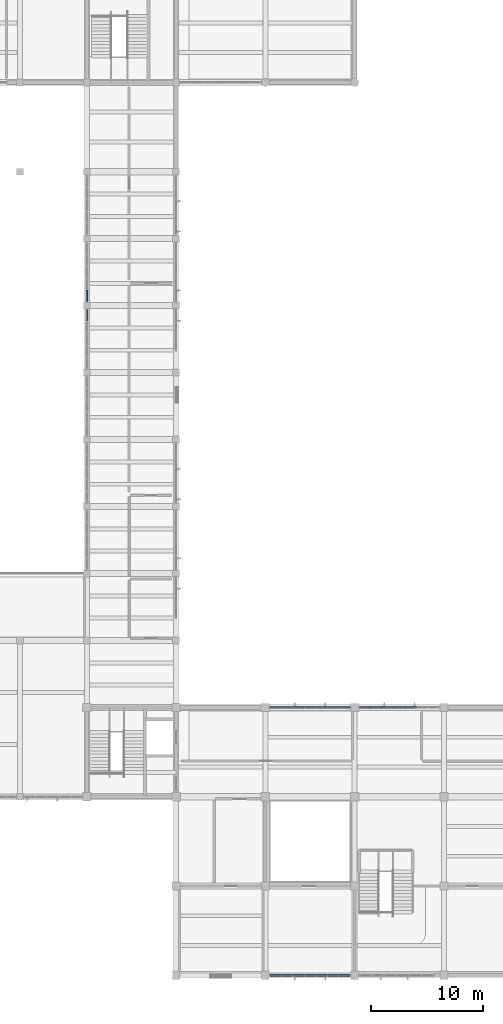
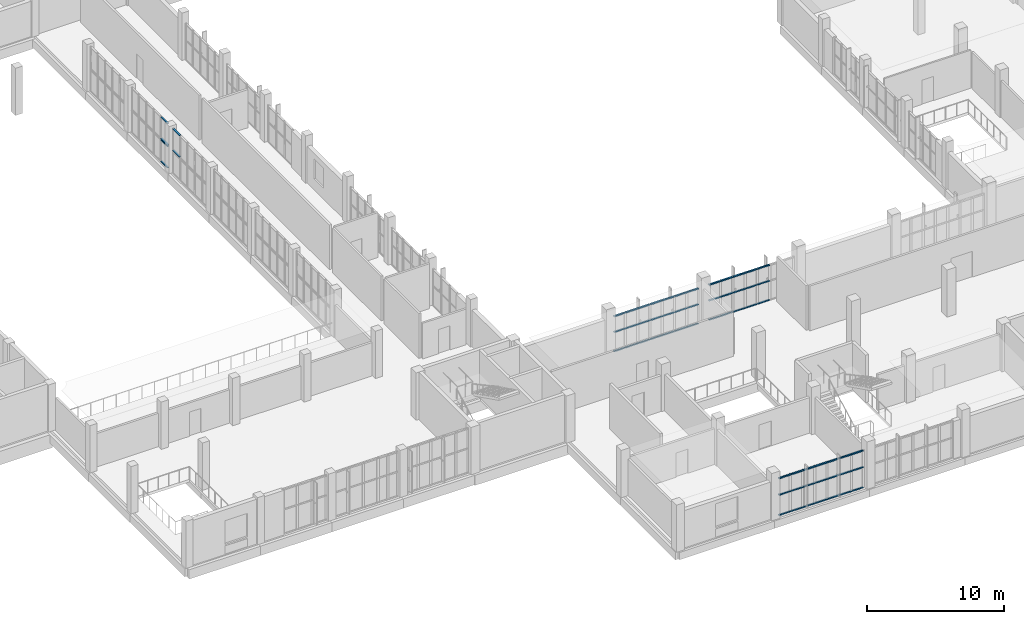
# One storey, part 36 of 85: 63 members, 6 elements without a shape of their own.
"""IFC4 building model written with IfcOpenShell, lengths in metres."""

from ifc_helpers import new_model, si_unit, direction, frame, origin, origin_2d, place, context, subcontext, project, spatial, rectangle, extrude, material, layer, layer_set, material_profile, profile_set, type_object, element, aggregate, save


model = new_model("IFC4")

# Units and contexts
model_context = context("Model", 3, precision=1e-05, world=origin(), true_north=direction((0.0, 1.0)))
body_context = subcontext(model_context, "Body", "Model", "MODEL_VIEW")
ifc_project = project(units=[si_unit("LENGTHUNIT", "METRE"), si_unit("AREAUNIT", "SQUARE_METRE"), si_unit("VOLUMEUNIT", "CUBIC_METRE"), si_unit("PLANEANGLEUNIT", "RADIAN"), si_unit("MASSUNIT", "GRAM", prefix="KILO")], contexts=[model_context])

# Site, building, storey
site_placement = place(None, origin())
site = spatial("IfcSite", under=ifc_project, at=site_placement, CompositionType="ELEMENT")
building_placement = place(site_placement, origin())
building = spatial("IfcBuilding", under=site, at=building_placement, Name="Solvane Community Centre", CompositionType="ELEMENT")
storey_placement = place(building_placement, frame((0.0, 0.0, 5.39990234375)))
storey = spatial("IfcBuildingStorey", under=building, at=storey_placement, Name="L01", CompositionType="ELEMENT", Elevation=5.39990234375)

# Curtain wall, members
ifc_material = material(Name="Anodised bronze aluminium AW-6063 T6", Category="aluminium")
ifc_layer_1 = layer(ifc_material, 0.18994140625)
ifc_layer_set_1 = layer_set([ifc_layer_1], Name="Anodised bronze aluminium AW-6063 T6")
curtain_wall_type_1 = type_object("IfcCurtainWallType", Name="Boulevard Bronze Vision Curtain Wall [72x33dm]", PredefinedType="NOTDEFINED", material=ifc_layer_set_1)
curtain_wall_1_placement = place(storey_placement, origin())
curtain_wall_1 = element("IfcCurtainWall", 1, at=curtain_wall_1_placement, inside=storey, type_object=curtain_wall_type_1, Name="Curtain Wall CW-L01-836_60-079", PredefinedType="NOTDEFINED")
ifc_material_profile_1 = material_profile(ifc_material, rectangle(XDim=0.14990234375, YDim=0.06005859375, at=origin_2d()), Name="CW-T 60x150")
ifc_profile_set_1 = profile_set([ifc_material_profile_1], Name="Anodised bronze aluminium AW-6063 T6")
member_type_1 = type_object("IfcMemberType", Name="Boulevard Transom 60x150", PredefinedType="USERDEFINED", material=ifc_profile_set_1)
member_1_placement = place(storey_placement, frame((83.544921875, 6.0, 0.030029296875), z_axis=(-1.0, 0.0, 0.0), x_axis=(0.0, -1.0, 0.0)))
member_1 = element("IfcMember", 2, at=member_1_placement, type_object=member_type_1, Name="CW02-72x33 transom 1.1", ObjectType="TRANSOM", PredefinedType="USERDEFINED", context=body_context, shape_type="SweptSolid", body=[
    extrude(rectangle(XDim=0.14990234375, YDim=0.06005859375, at=origin_2d()), origin(), (0.0, 0.0, 1.0), 0.93994140625),
])
member_2_placement = place(storey_placement, frame((83.544921875, 6.0, 1.822998046875), z_axis=(-1.0, 0.0, 0.0), x_axis=(0.0, -1.0, 0.0)))
member_2 = element("IfcMember", 3, at=member_2_placement, type_object=member_type_1, Name="CW02-72x33 transom 1.2", ObjectType="TRANSOM", PredefinedType="USERDEFINED", context=body_context, shape_type="SweptSolid", body=[
    extrude(rectangle(XDim=0.14990234375, YDim=0.06005859375, at=origin_2d()), origin(), (0.0, 0.0, 1.0), 0.93994140625),
])
member_3_placement = place(storey_placement, frame((83.544921875, 6.0, 3.28515625), z_axis=(-1.0, 0.0, 0.0), x_axis=(0.0, -1.0, 0.0)))
member_3 = element("IfcMember", 4, at=member_3_placement, type_object=member_type_1, Name="CW02-72x33 transom 1.3", ObjectType="TRANSOM", PredefinedType="USERDEFINED", context=body_context, shape_type="SweptSolid", body=[
    extrude(rectangle(XDim=0.14990234375, YDim=0.06005859375, at=origin_2d()), origin(), (0.0, 0.0, 1.0), 0.93994140625),
])
member_4_placement = place(storey_placement, frame((82.544921875, 6.0, 0.030029296875), z_axis=(-1.0, 0.0, 0.0), x_axis=(0.0, -1.0, 0.0)))
member_4 = element("IfcMember", 5, at=member_4_placement, type_object=member_type_1, Name="CW02-72x33 transom 2.1", ObjectType="TRANSOM", PredefinedType="USERDEFINED", context=body_context, shape_type="SweptSolid", body=[
    extrude(rectangle(XDim=0.14990234375, YDim=0.06005859375, at=origin_2d()), origin(), (0.0, 0.0, 1.0), 0.969970703125),
])
member_5_placement = place(storey_placement, frame((82.544921875, 6.0, 1.822998046875), z_axis=(-1.0, 0.0, 0.0), x_axis=(0.0, -1.0, 0.0)))
member_5 = element("IfcMember", 6, at=member_5_placement, type_object=member_type_1, Name="CW02-72x33 transom 2.2", ObjectType="TRANSOM", PredefinedType="USERDEFINED", context=body_context, shape_type="SweptSolid", body=[
    extrude(rectangle(XDim=0.14990234375, YDim=0.06005859375, at=origin_2d()), origin(), (0.0, 0.0, 1.0), 0.969970703125),
])
member_6_placement = place(storey_placement, frame((82.544921875, 6.0, 3.28515625), z_axis=(-1.0, 0.0, 0.0), x_axis=(0.0, -1.0, 0.0)))
member_6 = element("IfcMember", 7, at=member_6_placement, type_object=member_type_1, Name="CW02-72x33 transom 2.3", ObjectType="TRANSOM", PredefinedType="USERDEFINED", context=body_context, shape_type="SweptSolid", body=[
    extrude(rectangle(XDim=0.14990234375, YDim=0.06005859375, at=origin_2d()), origin(), (0.0, 0.0, 1.0), 0.969970703125),
])
member_7_placement = place(storey_placement, frame((81.514892578125, 6.0, 0.030029296875), z_axis=(-1.0, 0.0, 0.0), x_axis=(0.0, -1.0, 0.0)))
member_7 = element("IfcMember", 8, at=member_7_placement, type_object=member_type_1, Name="CW02-72x33 transom 3.1", ObjectType="TRANSOM", PredefinedType="USERDEFINED", context=body_context, shape_type="SweptSolid", body=[
    extrude(rectangle(XDim=0.14990234375, YDim=0.06005859375, at=origin_2d()), origin(), (0.0, 0.0, 1.0), 0.969970703125),
])
member_8_placement = place(storey_placement, frame((81.514892578125, 6.0, 1.822998046875), z_axis=(-1.0, 0.0, 0.0), x_axis=(0.0, -1.0, 0.0)))
member_8 = element("IfcMember", 9, at=member_8_placement, type_object=member_type_1, Name="CW02-72x33 transom 3.2", ObjectType="TRANSOM", PredefinedType="USERDEFINED", context=body_context, shape_type="SweptSolid", body=[
    extrude(rectangle(XDim=0.14990234375, YDim=0.06005859375, at=origin_2d()), origin(), (0.0, 0.0, 1.0), 0.969970703125),
])
member_9_placement = place(storey_placement, frame((81.514892578125, 6.0, 3.28515625), z_axis=(-1.0, 0.0, 0.0), x_axis=(0.0, -1.0, 0.0)))
member_9 = element("IfcMember", 10, at=member_9_placement, type_object=member_type_1, Name="CW02-72x33 transom 3.3", ObjectType="TRANSOM", PredefinedType="USERDEFINED", context=body_context, shape_type="SweptSolid", body=[
    extrude(rectangle(XDim=0.14990234375, YDim=0.06005859375, at=origin_2d()), origin(), (0.0, 0.0, 1.0), 0.969970703125),
])
member_10_placement = place(storey_placement, frame((80.485107421875, 6.0, 0.030029296875), z_axis=(-1.0, 0.0, 0.0), x_axis=(0.0, -1.0, 0.0)))
member_10 = element("IfcMember", 11, at=member_10_placement, type_object=member_type_1, Name="CW02-72x33 transom 4.1", ObjectType="TRANSOM", PredefinedType="USERDEFINED", context=body_context, shape_type="SweptSolid", body=[
    extrude(rectangle(XDim=0.14990234375, YDim=0.06005859375, at=origin_2d()), origin(), (0.0, 0.0, 1.0), 0.97021484375),
])
member_11_placement = place(storey_placement, frame((80.485107421875, 6.0, 1.822998046875), z_axis=(-1.0, 0.0, 0.0), x_axis=(0.0, -1.0, 0.0)))
member_11 = element("IfcMember", 12, at=member_11_placement, type_object=member_type_1, Name="CW02-72x33 transom 4.2", ObjectType="TRANSOM", PredefinedType="USERDEFINED", context=body_context, shape_type="SweptSolid", body=[
    extrude(rectangle(XDim=0.14990234375, YDim=0.06005859375, at=origin_2d()), origin(), (0.0, 0.0, 1.0), 0.97021484375),
])
member_12_placement = place(storey_placement, frame((80.485107421875, 6.0, 3.28515625), z_axis=(-1.0, 0.0, 0.0), x_axis=(0.0, -1.0, 0.0)))
member_12 = element("IfcMember", 13, at=member_12_placement, type_object=member_type_1, Name="CW02-72x33 transom 4.3", ObjectType="TRANSOM", PredefinedType="USERDEFINED", context=body_context, shape_type="SweptSolid", body=[
    extrude(rectangle(XDim=0.14990234375, YDim=0.06005859375, at=origin_2d()), origin(), (0.0, 0.0, 1.0), 0.97021484375),
])
member_13_placement = place(storey_placement, frame((79.455078125, 6.0, 0.030029296875), z_axis=(-1.0, 0.0, 0.0), x_axis=(0.0, -1.0, 0.0)))
member_13 = element("IfcMember", 14, at=member_13_placement, type_object=member_type_1, Name="CW02-72x33 transom 5.1", ObjectType="TRANSOM", PredefinedType="USERDEFINED", context=body_context, shape_type="SweptSolid", body=[
    extrude(rectangle(XDim=0.14990234375, YDim=0.06005859375, at=origin_2d()), origin(), (0.0, 0.0, 1.0), 0.969970703125),
])
member_14_placement = place(storey_placement, frame((79.455078125, 6.0, 1.822998046875), z_axis=(-1.0, 0.0, 0.0), x_axis=(0.0, -1.0, 0.0)))
member_14 = element("IfcMember", 15, at=member_14_placement, type_object=member_type_1, Name="CW02-72x33 transom 5.2", ObjectType="TRANSOM", PredefinedType="USERDEFINED", context=body_context, shape_type="SweptSolid", body=[
    extrude(rectangle(XDim=0.14990234375, YDim=0.06005859375, at=origin_2d()), origin(), (0.0, 0.0, 1.0), 0.969970703125),
])
member_15_placement = place(storey_placement, frame((79.455078125, 6.0, 3.28515625), z_axis=(-1.0, 0.0, 0.0), x_axis=(0.0, -1.0, 0.0)))
member_15 = element("IfcMember", 16, at=member_15_placement, type_object=member_type_1, Name="CW02-72x33 transom 5.3", ObjectType="TRANSOM", PredefinedType="USERDEFINED", context=body_context, shape_type="SweptSolid", body=[
    extrude(rectangle(XDim=0.14990234375, YDim=0.06005859375, at=origin_2d()), origin(), (0.0, 0.0, 1.0), 0.969970703125),
])
member_16_placement = place(storey_placement, frame((78.425048828125, 6.0, 0.030029296875), z_axis=(-1.0, 0.0, 0.0), x_axis=(0.0, -1.0, 0.0)))
member_16 = element("IfcMember", 17, at=member_16_placement, type_object=member_type_1, Name="CW02-72x33 transom 6.1", ObjectType="TRANSOM", PredefinedType="USERDEFINED", context=body_context, shape_type="SweptSolid", body=[
    extrude(rectangle(XDim=0.14990234375, YDim=0.06005859375, at=origin_2d()), origin(), (0.0, 0.0, 1.0), 0.969970703125),
])
member_17_placement = place(storey_placement, frame((78.425048828125, 6.0, 1.822998046875), z_axis=(-1.0, 0.0, 0.0), x_axis=(0.0, -1.0, 0.0)))
member_17 = element("IfcMember", 18, at=member_17_placement, type_object=member_type_1, Name="CW02-72x33 transom 6.2", ObjectType="TRANSOM", PredefinedType="USERDEFINED", context=body_context, shape_type="SweptSolid", body=[
    extrude(rectangle(XDim=0.14990234375, YDim=0.06005859375, at=origin_2d()), origin(), (0.0, 0.0, 1.0), 0.969970703125),
])
member_18_placement = place(storey_placement, frame((78.425048828125, 6.0, 3.28515625), z_axis=(-1.0, 0.0, 0.0), x_axis=(0.0, -1.0, 0.0)))
member_18 = element("IfcMember", 19, at=member_18_placement, type_object=member_type_1, Name="CW02-72x33 transom 6.3", ObjectType="TRANSOM", PredefinedType="USERDEFINED", context=body_context, shape_type="SweptSolid", body=[
    extrude(rectangle(XDim=0.14990234375, YDim=0.06005859375, at=origin_2d()), origin(), (0.0, 0.0, 1.0), 0.969970703125),
])
member_19_placement = place(storey_placement, frame((77.39501953125, 6.0, 0.030029296875), z_axis=(-1.0, 0.0, 0.0), x_axis=(0.0, -1.0, 0.0)))
member_19 = element("IfcMember", 20, at=member_19_placement, type_object=member_type_1, Name="CW02-72x33 transom 7.1", ObjectType="TRANSOM", PredefinedType="USERDEFINED", context=body_context, shape_type="SweptSolid", body=[
    extrude(rectangle(XDim=0.14990234375, YDim=0.06005859375, at=origin_2d()), origin(), (0.0, 0.0, 1.0), 0.93994140625),
])
member_20_placement = place(storey_placement, frame((77.39501953125, 6.0, 1.822998046875), z_axis=(-1.0, 0.0, 0.0), x_axis=(0.0, -1.0, 0.0)))
member_20 = element("IfcMember", 21, at=member_20_placement, type_object=member_type_1, Name="CW02-72x33 transom 7.2", ObjectType="TRANSOM", PredefinedType="USERDEFINED", context=body_context, shape_type="SweptSolid", body=[
    extrude(rectangle(XDim=0.14990234375, YDim=0.06005859375, at=origin_2d()), origin(), (0.0, 0.0, 1.0), 0.93994140625),
])
member_21_placement = place(storey_placement, frame((77.39501953125, 6.0, 3.28515625), z_axis=(-1.0, 0.0, 0.0), x_axis=(0.0, -1.0, 0.0)))
member_21 = element("IfcMember", 22, at=member_21_placement, type_object=member_type_1, Name="CW02-72x33 transom 7.3", ObjectType="TRANSOM", PredefinedType="USERDEFINED", context=body_context, shape_type="SweptSolid", body=[
    extrude(rectangle(XDim=0.14990234375, YDim=0.06005859375, at=origin_2d()), origin(), (0.0, 0.0, 1.0), 0.93994140625),
])
aggregate(curtain_wall_1, [member_1, member_2, member_3, member_4, member_5, member_6, member_7, member_8, member_9, member_10, member_11, member_12, member_13, member_14, member_15, member_16, member_17, member_18, member_19, member_20, member_21])

ifc_layer_2 = layer(ifc_material, 0.18994140625)
ifc_layer_set_2 = layer_set([ifc_layer_2], Name="Anodised bronze aluminium AW-6063 T6")
curtain_wall_type_2 = type_object("IfcCurtainWallType", Name="Boulevard Bronze Vision Curtain Wall [72x32dm]", PredefinedType="NOTDEFINED", material=ifc_layer_set_2)
curtain_wall_2_placement = place(storey_placement, origin())
curtain_wall_2 = element("IfcCurtainWall", 23, at=curtain_wall_2_placement, inside=storey, type_object=curtain_wall_type_2, Name="Curtain Wall CW-L01-764_300-111", PredefinedType="NOTDEFINED")
member_22_placement = place(storey_placement, frame((76.449951171875, 30.0, 0.030029296875), z_axis=(1.0, 0.0, 0.0), x_axis=(0.0, 1.0, 0.0)))
member_22 = element("IfcMember", 24, at=member_22_placement, type_object=member_type_1, Name="CW02-72x32 transom 1.1", ObjectType="TRANSOM", PredefinedType="USERDEFINED", context=body_context, shape_type="SweptSolid", body=[
    extrude(rectangle(XDim=0.14990234375, YDim=0.06005859375, at=origin_2d()), origin(), (0.0, 0.0, 1.0), 0.94140625),
])
member_23_placement = place(storey_placement, frame((76.449951171875, 30.0, 1.7412109375), z_axis=(1.0, 0.0, 0.0), x_axis=(0.0, 1.0, 0.0)))
member_23 = element("IfcMember", 25, at=member_23_placement, type_object=member_type_1, Name="CW02-72x32 transom 1.2", ObjectType="TRANSOM", PredefinedType="USERDEFINED", context=body_context, shape_type="SweptSolid", body=[
    extrude(rectangle(XDim=0.14990234375, YDim=0.06005859375, at=origin_2d()), origin(), (0.0, 0.0, 1.0), 0.94140625),
])
member_24_placement = place(storey_placement, frame((76.449951171875, 30.0, 3.135009765625), z_axis=(1.0, 0.0, 0.0), x_axis=(0.0, 1.0, 0.0)))
member_24 = element("IfcMember", 26, at=member_24_placement, type_object=member_type_1, Name="CW02-72x32 transom 1.3", ObjectType="TRANSOM", PredefinedType="USERDEFINED", context=body_context, shape_type="SweptSolid", body=[
    extrude(rectangle(XDim=0.14990234375, YDim=0.06005859375, at=origin_2d()), origin(), (0.0, 0.0, 1.0), 0.94140625),
])
member_25_placement = place(storey_placement, frame((77.451416015625, 30.0, 0.030029296875), z_axis=(1.0, 0.0, 0.0), x_axis=(0.0, 1.0, 0.0)))
member_25 = element("IfcMember", 27, at=member_25_placement, type_object=member_type_1, Name="CW02-72x32 transom 2.1", ObjectType="TRANSOM", PredefinedType="USERDEFINED", context=body_context, shape_type="SweptSolid", body=[
    extrude(rectangle(XDim=0.14990234375, YDim=0.06005859375, at=origin_2d()), origin(), (0.0, 0.0, 1.0), 0.971435546875),
])
member_26_placement = place(storey_placement, frame((77.451416015625, 30.0, 1.7412109375), z_axis=(1.0, 0.0, 0.0), x_axis=(0.0, 1.0, 0.0)))
member_26 = element("IfcMember", 28, at=member_26_placement, type_object=member_type_1, Name="CW02-72x32 transom 2.2", ObjectType="TRANSOM", PredefinedType="USERDEFINED", context=body_context, shape_type="SweptSolid", body=[
    extrude(rectangle(XDim=0.14990234375, YDim=0.06005859375, at=origin_2d()), origin(), (0.0, 0.0, 1.0), 0.971435546875),
])
member_27_placement = place(storey_placement, frame((77.451416015625, 30.0, 3.135009765625), z_axis=(1.0, 0.0, 0.0), x_axis=(0.0, 1.0, 0.0)))
member_27 = element("IfcMember", 29, at=member_27_placement, type_object=member_type_1, Name="CW02-72x32 transom 2.3", ObjectType="TRANSOM", PredefinedType="USERDEFINED", context=body_context, shape_type="SweptSolid", body=[
    extrude(rectangle(XDim=0.14990234375, YDim=0.06005859375, at=origin_2d()), origin(), (0.0, 0.0, 1.0), 0.971435546875),
])
member_28_placement = place(storey_placement, frame((78.48291015625, 30.0, 0.030029296875), z_axis=(1.0, 0.0, 0.0), x_axis=(0.0, 1.0, 0.0)))
member_28 = element("IfcMember", 30, at=member_28_placement, type_object=member_type_1, Name="CW02-72x32 transom 3.1", ObjectType="TRANSOM", PredefinedType="USERDEFINED", context=body_context, shape_type="SweptSolid", body=[
    extrude(rectangle(XDim=0.14990234375, YDim=0.06005859375, at=origin_2d()), origin(), (0.0, 0.0, 1.0), 0.971435546875),
])
member_29_placement = place(storey_placement, frame((78.48291015625, 30.0, 1.7412109375), z_axis=(1.0, 0.0, 0.0), x_axis=(0.0, 1.0, 0.0)))
member_29 = element("IfcMember", 31, at=member_29_placement, type_object=member_type_1, Name="CW02-72x32 transom 3.2", ObjectType="TRANSOM", PredefinedType="USERDEFINED", context=body_context, shape_type="SweptSolid", body=[
    extrude(rectangle(XDim=0.14990234375, YDim=0.06005859375, at=origin_2d()), origin(), (0.0, 0.0, 1.0), 0.971435546875),
])
member_30_placement = place(storey_placement, frame((78.48291015625, 30.0, 3.135009765625), z_axis=(1.0, 0.0, 0.0), x_axis=(0.0, 1.0, 0.0)))
member_30 = element("IfcMember", 32, at=member_30_placement, type_object=member_type_1, Name="CW02-72x32 transom 3.3", ObjectType="TRANSOM", PredefinedType="USERDEFINED", context=body_context, shape_type="SweptSolid", body=[
    extrude(rectangle(XDim=0.14990234375, YDim=0.06005859375, at=origin_2d()), origin(), (0.0, 0.0, 1.0), 0.971435546875),
])
member_31_placement = place(storey_placement, frame((79.514404296875, 30.0, 0.030029296875), z_axis=(1.0, 0.0, 0.0), x_axis=(0.0, 1.0, 0.0)))
member_31 = element("IfcMember", 33, at=member_31_placement, type_object=member_type_1, Name="CW02-72x32 transom 4.1", ObjectType="TRANSOM", PredefinedType="USERDEFINED", context=body_context, shape_type="SweptSolid", body=[
    extrude(rectangle(XDim=0.14990234375, YDim=0.06005859375, at=origin_2d()), origin(), (0.0, 0.0, 1.0), 0.97119140625),
])
member_32_placement = place(storey_placement, frame((79.514404296875, 30.0, 1.7412109375), z_axis=(1.0, 0.0, 0.0), x_axis=(0.0, 1.0, 0.0)))
member_32 = element("IfcMember", 34, at=member_32_placement, type_object=member_type_1, Name="CW02-72x32 transom 4.2", ObjectType="TRANSOM", PredefinedType="USERDEFINED", context=body_context, shape_type="SweptSolid", body=[
    extrude(rectangle(XDim=0.14990234375, YDim=0.06005859375, at=origin_2d()), origin(), (0.0, 0.0, 1.0), 0.97119140625),
])
member_33_placement = place(storey_placement, frame((79.514404296875, 30.0, 3.135009765625), z_axis=(1.0, 0.0, 0.0), x_axis=(0.0, 1.0, 0.0)))
member_33 = element("IfcMember", 35, at=member_33_placement, type_object=member_type_1, Name="CW02-72x32 transom 4.3", ObjectType="TRANSOM", PredefinedType="USERDEFINED", context=body_context, shape_type="SweptSolid", body=[
    extrude(rectangle(XDim=0.14990234375, YDim=0.06005859375, at=origin_2d()), origin(), (0.0, 0.0, 1.0), 0.97119140625),
])
member_34_placement = place(storey_placement, frame((80.545654296875, 30.0, 0.030029296875), z_axis=(1.0, 0.0, 0.0), x_axis=(0.0, 1.0, 0.0)))
member_34 = element("IfcMember", 36, at=member_34_placement, type_object=member_type_1, Name="CW02-72x32 transom 5.1", ObjectType="TRANSOM", PredefinedType="USERDEFINED", context=body_context, shape_type="SweptSolid", body=[
    extrude(rectangle(XDim=0.14990234375, YDim=0.06005859375, at=origin_2d()), origin(), (0.0, 0.0, 1.0), 0.971435546875),
])
member_35_placement = place(storey_placement, frame((80.545654296875, 30.0, 1.7412109375), z_axis=(1.0, 0.0, 0.0), x_axis=(0.0, 1.0, 0.0)))
member_35 = element("IfcMember", 37, at=member_35_placement, type_object=member_type_1, Name="CW02-72x32 transom 5.2", ObjectType="TRANSOM", PredefinedType="USERDEFINED", context=body_context, shape_type="SweptSolid", body=[
    extrude(rectangle(XDim=0.14990234375, YDim=0.06005859375, at=origin_2d()), origin(), (0.0, 0.0, 1.0), 0.971435546875),
])
member_36_placement = place(storey_placement, frame((80.545654296875, 30.0, 3.135009765625), z_axis=(1.0, 0.0, 0.0), x_axis=(0.0, 1.0, 0.0)))
member_36 = element("IfcMember", 38, at=member_36_placement, type_object=member_type_1, Name="CW02-72x32 transom 5.3", ObjectType="TRANSOM", PredefinedType="USERDEFINED", context=body_context, shape_type="SweptSolid", body=[
    extrude(rectangle(XDim=0.14990234375, YDim=0.06005859375, at=origin_2d()), origin(), (0.0, 0.0, 1.0), 0.971435546875),
])
member_37_placement = place(storey_placement, frame((81.5771484375, 30.0, 0.030029296875), z_axis=(1.0, 0.0, 0.0), x_axis=(0.0, 1.0, 0.0)))
member_37 = element("IfcMember", 39, at=member_37_placement, type_object=member_type_1, Name="CW02-72x32 transom 6.1", ObjectType="TRANSOM", PredefinedType="USERDEFINED", context=body_context, shape_type="SweptSolid", body=[
    extrude(rectangle(XDim=0.14990234375, YDim=0.06005859375, at=origin_2d()), origin(), (0.0, 0.0, 1.0), 0.971435546875),
])
member_38_placement = place(storey_placement, frame((81.5771484375, 30.0, 1.7412109375), z_axis=(1.0, 0.0, 0.0), x_axis=(0.0, 1.0, 0.0)))
member_38 = element("IfcMember", 40, at=member_38_placement, type_object=member_type_1, Name="CW02-72x32 transom 6.2", ObjectType="TRANSOM", PredefinedType="USERDEFINED", context=body_context, shape_type="SweptSolid", body=[
    extrude(rectangle(XDim=0.14990234375, YDim=0.06005859375, at=origin_2d()), origin(), (0.0, 0.0, 1.0), 0.971435546875),
])
member_39_placement = place(storey_placement, frame((81.5771484375, 30.0, 3.135009765625), z_axis=(1.0, 0.0, 0.0), x_axis=(0.0, 1.0, 0.0)))
member_39 = element("IfcMember", 41, at=member_39_placement, type_object=member_type_1, Name="CW02-72x32 transom 6.3", ObjectType="TRANSOM", PredefinedType="USERDEFINED", context=body_context, shape_type="SweptSolid", body=[
    extrude(rectangle(XDim=0.14990234375, YDim=0.06005859375, at=origin_2d()), origin(), (0.0, 0.0, 1.0), 0.971435546875),
])
member_40_placement = place(storey_placement, frame((82.608642578125, 30.0, 0.030029296875), z_axis=(1.0, 0.0, 0.0), x_axis=(0.0, 1.0, 0.0)))
member_40 = element("IfcMember", 42, at=member_40_placement, type_object=member_type_1, Name="CW02-72x32 transom 7.1", ObjectType="TRANSOM", PredefinedType="USERDEFINED", context=body_context, shape_type="SweptSolid", body=[
    extrude(rectangle(XDim=0.14990234375, YDim=0.06005859375, at=origin_2d()), origin(), (0.0, 0.0, 1.0), 0.94140625),
])
member_41_placement = place(storey_placement, frame((82.608642578125, 30.0, 1.7412109375), z_axis=(1.0, 0.0, 0.0), x_axis=(0.0, 1.0, 0.0)))
member_41 = element("IfcMember", 43, at=member_41_placement, type_object=member_type_1, Name="CW02-72x32 transom 7.2", ObjectType="TRANSOM", PredefinedType="USERDEFINED", context=body_context, shape_type="SweptSolid", body=[
    extrude(rectangle(XDim=0.14990234375, YDim=0.06005859375, at=origin_2d()), origin(), (0.0, 0.0, 1.0), 0.94140625),
])
member_42_placement = place(storey_placement, frame((82.608642578125, 30.0, 3.135009765625), z_axis=(1.0, 0.0, 0.0), x_axis=(0.0, 1.0, 0.0)))
member_42 = element("IfcMember", 44, at=member_42_placement, type_object=member_type_1, Name="CW02-72x32 transom 7.3", ObjectType="TRANSOM", PredefinedType="USERDEFINED", context=body_context, shape_type="SweptSolid", body=[
    extrude(rectangle(XDim=0.14990234375, YDim=0.06005859375, at=origin_2d()), origin(), (0.0, 0.0, 1.0), 0.94140625),
])
aggregate(curtain_wall_2, [member_22, member_23, member_24, member_25, member_26, member_27, member_28, member_29, member_30, member_31, member_32, member_33, member_34, member_35, member_36, member_37, member_38, member_39, member_40, member_41, member_42])

curtain_wall_3_placement = place(storey_placement, origin())
curtain_wall_3 = element("IfcCurtainWall", 45, at=curtain_wall_3_placement, inside=storey, type_object=curtain_wall_type_2, Name="Curtain Wall CW-L01-844_300-112", PredefinedType="NOTDEFINED")
member_43_placement = place(storey_placement, frame((84.449951171875, 30.0, 0.030029296875), z_axis=(1.0, 0.0, 0.0), x_axis=(0.0, 1.0, 0.0)))
member_43 = element("IfcMember", 46, at=member_43_placement, type_object=member_type_1, Name="CW02-72x32 transom 1.1", ObjectType="TRANSOM", PredefinedType="USERDEFINED", context=body_context, shape_type="SweptSolid", body=[
    extrude(rectangle(XDim=0.14990234375, YDim=0.06005859375, at=origin_2d()), origin(), (0.0, 0.0, 1.0), 0.94140625),
])
member_44_placement = place(storey_placement, frame((84.449951171875, 30.0, 1.7412109375), z_axis=(1.0, 0.0, 0.0), x_axis=(0.0, 1.0, 0.0)))
member_44 = element("IfcMember", 47, at=member_44_placement, type_object=member_type_1, Name="CW02-72x32 transom 1.2", ObjectType="TRANSOM", PredefinedType="USERDEFINED", context=body_context, shape_type="SweptSolid", body=[
    extrude(rectangle(XDim=0.14990234375, YDim=0.06005859375, at=origin_2d()), origin(), (0.0, 0.0, 1.0), 0.94140625),
])
member_45_placement = place(storey_placement, frame((84.449951171875, 30.0, 3.135009765625), z_axis=(1.0, 0.0, 0.0), x_axis=(0.0, 1.0, 0.0)))
member_45 = element("IfcMember", 48, at=member_45_placement, type_object=member_type_1, Name="CW02-72x32 transom 1.3", ObjectType="TRANSOM", PredefinedType="USERDEFINED", context=body_context, shape_type="SweptSolid", body=[
    extrude(rectangle(XDim=0.14990234375, YDim=0.06005859375, at=origin_2d()), origin(), (0.0, 0.0, 1.0), 0.94140625),
])
member_46_placement = place(storey_placement, frame((85.451416015625, 30.0, 0.030029296875), z_axis=(1.0, 0.0, 0.0), x_axis=(0.0, 1.0, 0.0)))
member_46 = element("IfcMember", 49, at=member_46_placement, type_object=member_type_1, Name="CW02-72x32 transom 2.1", ObjectType="TRANSOM", PredefinedType="USERDEFINED", context=body_context, shape_type="SweptSolid", body=[
    extrude(rectangle(XDim=0.14990234375, YDim=0.06005859375, at=origin_2d()), origin(), (0.0, 0.0, 1.0), 0.971435546875),
])
member_47_placement = place(storey_placement, frame((85.451416015625, 30.0, 1.7412109375), z_axis=(1.0, 0.0, 0.0), x_axis=(0.0, 1.0, 0.0)))
member_47 = element("IfcMember", 50, at=member_47_placement, type_object=member_type_1, Name="CW02-72x32 transom 2.2", ObjectType="TRANSOM", PredefinedType="USERDEFINED", context=body_context, shape_type="SweptSolid", body=[
    extrude(rectangle(XDim=0.14990234375, YDim=0.06005859375, at=origin_2d()), origin(), (0.0, 0.0, 1.0), 0.971435546875),
])
member_48_placement = place(storey_placement, frame((85.451416015625, 30.0, 3.135009765625), z_axis=(1.0, 0.0, 0.0), x_axis=(0.0, 1.0, 0.0)))
member_48 = element("IfcMember", 51, at=member_48_placement, type_object=member_type_1, Name="CW02-72x32 transom 2.3", ObjectType="TRANSOM", PredefinedType="USERDEFINED", context=body_context, shape_type="SweptSolid", body=[
    extrude(rectangle(XDim=0.14990234375, YDim=0.06005859375, at=origin_2d()), origin(), (0.0, 0.0, 1.0), 0.971435546875),
])
member_49_placement = place(storey_placement, frame((86.48291015625, 30.0, 0.030029296875), z_axis=(1.0, 0.0, 0.0), x_axis=(0.0, 1.0, 0.0)))
member_49 = element("IfcMember", 52, at=member_49_placement, type_object=member_type_1, Name="CW02-72x32 transom 3.1", ObjectType="TRANSOM", PredefinedType="USERDEFINED", context=body_context, shape_type="SweptSolid", body=[
    extrude(rectangle(XDim=0.14990234375, YDim=0.06005859375, at=origin_2d()), origin(), (0.0, 0.0, 1.0), 0.971435546875),
])
member_50_placement = place(storey_placement, frame((86.48291015625, 30.0, 1.7412109375), z_axis=(1.0, 0.0, 0.0), x_axis=(0.0, 1.0, 0.0)))
member_50 = element("IfcMember", 53, at=member_50_placement, type_object=member_type_1, Name="CW02-72x32 transom 3.2", ObjectType="TRANSOM", PredefinedType="USERDEFINED", context=body_context, shape_type="SweptSolid", body=[
    extrude(rectangle(XDim=0.14990234375, YDim=0.06005859375, at=origin_2d()), origin(), (0.0, 0.0, 1.0), 0.971435546875),
])
member_51_placement = place(storey_placement, frame((86.48291015625, 30.0, 3.135009765625), z_axis=(1.0, 0.0, 0.0), x_axis=(0.0, 1.0, 0.0)))
member_51 = element("IfcMember", 54, at=member_51_placement, type_object=member_type_1, Name="CW02-72x32 transom 3.3", ObjectType="TRANSOM", PredefinedType="USERDEFINED", context=body_context, shape_type="SweptSolid", body=[
    extrude(rectangle(XDim=0.14990234375, YDim=0.06005859375, at=origin_2d()), origin(), (0.0, 0.0, 1.0), 0.971435546875),
])
member_52_placement = place(storey_placement, frame((87.514404296875, 30.0, 0.030029296875), z_axis=(1.0, 0.0, 0.0), x_axis=(0.0, 1.0, 0.0)))
member_52 = element("IfcMember", 55, at=member_52_placement, type_object=member_type_1, Name="CW02-72x32 transom 4.1", ObjectType="TRANSOM", PredefinedType="USERDEFINED", context=body_context, shape_type="SweptSolid", body=[
    extrude(rectangle(XDim=0.14990234375, YDim=0.06005859375, at=origin_2d()), origin(), (0.0, 0.0, 1.0), 0.97119140625),
])
member_53_placement = place(storey_placement, frame((87.514404296875, 30.0, 1.7412109375), z_axis=(1.0, 0.0, 0.0), x_axis=(0.0, 1.0, 0.0)))
member_53 = element("IfcMember", 56, at=member_53_placement, type_object=member_type_1, Name="CW02-72x32 transom 4.2", ObjectType="TRANSOM", PredefinedType="USERDEFINED", context=body_context, shape_type="SweptSolid", body=[
    extrude(rectangle(XDim=0.14990234375, YDim=0.06005859375, at=origin_2d()), origin(), (0.0, 0.0, 1.0), 0.97119140625),
])
member_54_placement = place(storey_placement, frame((87.514404296875, 30.0, 3.135009765625), z_axis=(1.0, 0.0, 0.0), x_axis=(0.0, 1.0, 0.0)))
member_54 = element("IfcMember", 57, at=member_54_placement, type_object=member_type_1, Name="CW02-72x32 transom 4.3", ObjectType="TRANSOM", PredefinedType="USERDEFINED", context=body_context, shape_type="SweptSolid", body=[
    extrude(rectangle(XDim=0.14990234375, YDim=0.06005859375, at=origin_2d()), origin(), (0.0, 0.0, 1.0), 0.97119140625),
])
member_55_placement = place(storey_placement, frame((88.545654296875, 30.0, 0.030029296875), z_axis=(1.0, 0.0, 0.0), x_axis=(0.0, 1.0, 0.0)))
member_55 = element("IfcMember", 58, at=member_55_placement, type_object=member_type_1, Name="CW02-72x32 transom 5.1", ObjectType="TRANSOM", PredefinedType="USERDEFINED", context=body_context, shape_type="SweptSolid", body=[
    extrude(rectangle(XDim=0.14990234375, YDim=0.06005859375, at=origin_2d()), origin(), (0.0, 0.0, 1.0), 0.971435546875),
])
member_56_placement = place(storey_placement, frame((88.545654296875, 30.0, 1.7412109375), z_axis=(1.0, 0.0, 0.0), x_axis=(0.0, 1.0, 0.0)))
member_56 = element("IfcMember", 59, at=member_56_placement, type_object=member_type_1, Name="CW02-72x32 transom 5.2", ObjectType="TRANSOM", PredefinedType="USERDEFINED", context=body_context, shape_type="SweptSolid", body=[
    extrude(rectangle(XDim=0.14990234375, YDim=0.06005859375, at=origin_2d()), origin(), (0.0, 0.0, 1.0), 0.971435546875),
])
member_57_placement = place(storey_placement, frame((88.545654296875, 30.0, 3.135009765625), z_axis=(1.0, 0.0, 0.0), x_axis=(0.0, 1.0, 0.0)))
member_57 = element("IfcMember", 60, at=member_57_placement, type_object=member_type_1, Name="CW02-72x32 transom 5.3", ObjectType="TRANSOM", PredefinedType="USERDEFINED", context=body_context, shape_type="SweptSolid", body=[
    extrude(rectangle(XDim=0.14990234375, YDim=0.06005859375, at=origin_2d()), origin(), (0.0, 0.0, 1.0), 0.971435546875),
])
aggregate(curtain_wall_3, [member_43, member_44, member_45, member_46, member_47, member_48, member_49, member_50, member_51, member_52, member_53, member_54, member_55, member_56, member_57])

ifc_layer_3 = layer(ifc_material, 0.179931640625)
ifc_layer_set_3 = layer_set([ifc_layer_3], Name="Anodised bronze aluminium AW-6063 T6")
curtain_wall_type_3 = type_object("IfcCurtainWallType", Name="Hall Translucent Upper Curtain Wall [54x20dm]", PredefinedType="NOTDEFINED", material=ifc_layer_set_3)
curtain_wall_4_placement = place(storey_placement, origin())
curtain_wall_4 = element("IfcCurtainWall", 61, at=curtain_wall_4_placement, inside=storey, type_object=curtain_wall_type_3, Name="Curtain Wall CW-L01-600_657-052", PredefinedType="NOTDEFINED")
ifc_material_profile_2 = material_profile(ifc_material, rectangle(XDim=0.139892578125, YDim=0.06005859375, at=origin_2d()), Name="CW-T 60x140")
ifc_profile_set_2 = profile_set([ifc_material_profile_2], Name="Anodised bronze aluminium AW-6063 T6")
member_type_2 = type_object("IfcMemberType", Name="Hall Transom 60x140", PredefinedType="USERDEFINED", material=ifc_profile_set_2)
member_58_placement = place(storey_placement, frame((60.0, 65.6201171875, 2.050048828125), z_axis=(0.0, -1.0, 0.0), x_axis=(1.0, 0.0, 0.0)))
member_58 = element("IfcMember", 62, at=member_58_placement, type_object=member_type_2, Name="CW01-54x20 transom 1.1", ObjectType="TRANSOM", PredefinedType="USERDEFINED", context=body_context, shape_type="SweptSolid", body=[
    extrude(rectangle(XDim=0.139892578125, YDim=0.06005859375, at=origin_2d()), origin(), (0.0, 0.0, 1.0), 0.982177734375),
])
member_59_placement = place(storey_placement, frame((60.0, 65.6201171875, 3.9501953125), z_axis=(0.0, -1.0, 0.0), x_axis=(1.0, 0.0, 0.0)))
member_59 = element("IfcMember", 63, at=member_59_placement, type_object=member_type_2, Name="CW01-54x20 transom 1.2", ObjectType="TRANSOM", PredefinedType="USERDEFINED", context=body_context, shape_type="SweptSolid", body=[
    extrude(rectangle(XDim=0.139892578125, YDim=0.06005859375, at=origin_2d()), origin(), (0.0, 0.0, 1.0), 0.982177734375),
])
aggregate(curtain_wall_4, [member_58, member_59])

ifc_layer_4 = layer(ifc_material, 0.179931640625)
ifc_layer_set_4 = layer_set([ifc_layer_4], Name="Anodised bronze aluminium AW-6063 T6")
curtain_wall_type_4 = type_object("IfcCurtainWallType", Name="Hall Translucent Upper Curtain Wall [54x19dm]", PredefinedType="NOTDEFINED", material=ifc_layer_set_4)
curtain_wall_5_placement = place(storey_placement, origin())
curtain_wall_5 = element("IfcCurtainWall", 64, at=curtain_wall_5_placement, inside=storey, type_object=curtain_wall_type_4, Name="Curtain Wall CW-L01-600_717-059", PredefinedType="NOTDEFINED")
member_60_placement = place(storey_placement, frame((60.0, 67.362060546875, 0.030029296875), z_axis=(0.0, -1.0, 0.0), x_axis=(1.0, 0.0, 0.0)))
member_60 = element("IfcMember", 65, at=member_60_placement, type_object=member_type_2, Name="CW01-54x19 transom 5.1", ObjectType="TRANSOM", PredefinedType="USERDEFINED", context=body_context, shape_type="SweptSolid", body=[
    extrude(rectangle(XDim=0.139892578125, YDim=0.06005859375, at=origin_2d()), origin(), (0.0, 0.0, 1.0), 0.982177734375),
])
member_61_placement = place(storey_placement, frame((60.0, 67.362060546875, 1.920166015625), z_axis=(0.0, -1.0, 0.0), x_axis=(1.0, 0.0, 0.0)))
member_61 = element("IfcMember", 66, at=member_61_placement, type_object=member_type_2, Name="CW01-54x19 transom 5.2", ObjectType="TRANSOM", PredefinedType="USERDEFINED", context=body_context, shape_type="SweptSolid", body=[
    extrude(rectangle(XDim=0.139892578125, YDim=0.06005859375, at=origin_2d()), origin(), (0.0, 0.0, 1.0), 0.982177734375),
])
aggregate(curtain_wall_5, [member_60, member_61])

curtain_wall_6_placement = place(storey_placement, origin())
curtain_wall_6 = element("IfcCurtainWall", 67, at=curtain_wall_6_placement, inside=storey, type_object=curtain_wall_type_3, Name="Curtain Wall CW-L01-600_717-060", PredefinedType="NOTDEFINED")
member_62_placement = place(storey_placement, frame((60.0, 67.362060546875, 2.050048828125), z_axis=(0.0, -1.0, 0.0), x_axis=(1.0, 0.0, 0.0)))
member_62 = element("IfcMember", 68, at=member_62_placement, type_object=member_type_2, Name="CW01-54x20 transom 5.1", ObjectType="TRANSOM", PredefinedType="USERDEFINED", context=body_context, shape_type="SweptSolid", body=[
    extrude(rectangle(XDim=0.139892578125, YDim=0.06005859375, at=origin_2d()), origin(), (0.0, 0.0, 1.0), 0.982177734375),
])
member_63_placement = place(storey_placement, frame((60.0, 67.362060546875, 3.9501953125), z_axis=(0.0, -1.0, 0.0), x_axis=(1.0, 0.0, 0.0)))
member_63 = element("IfcMember", 69, at=member_63_placement, type_object=member_type_2, Name="CW01-54x20 transom 5.2", ObjectType="TRANSOM", PredefinedType="USERDEFINED", context=body_context, shape_type="SweptSolid", body=[
    extrude(rectangle(XDim=0.139892578125, YDim=0.06005859375, at=origin_2d()), origin(), (0.0, 0.0, 1.0), 0.982177734375),
])
aggregate(curtain_wall_6, [member_62, member_63])

save(model, "model.ifc")
